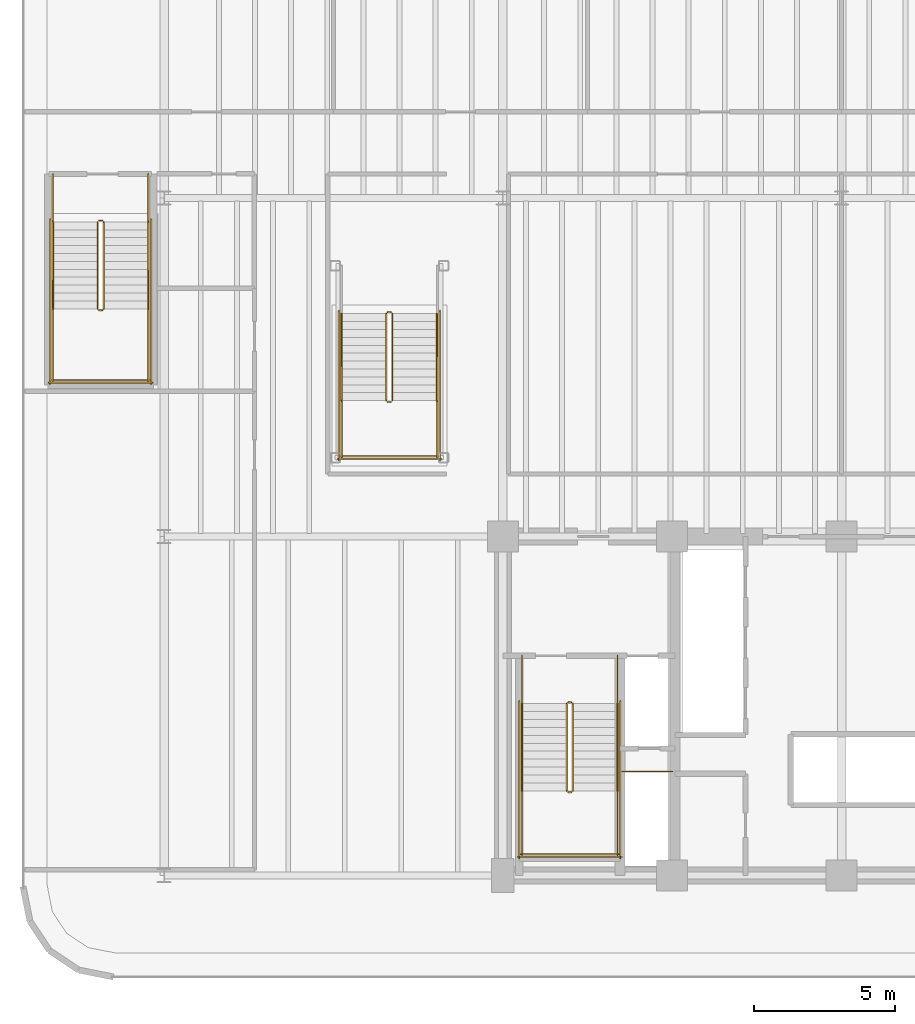
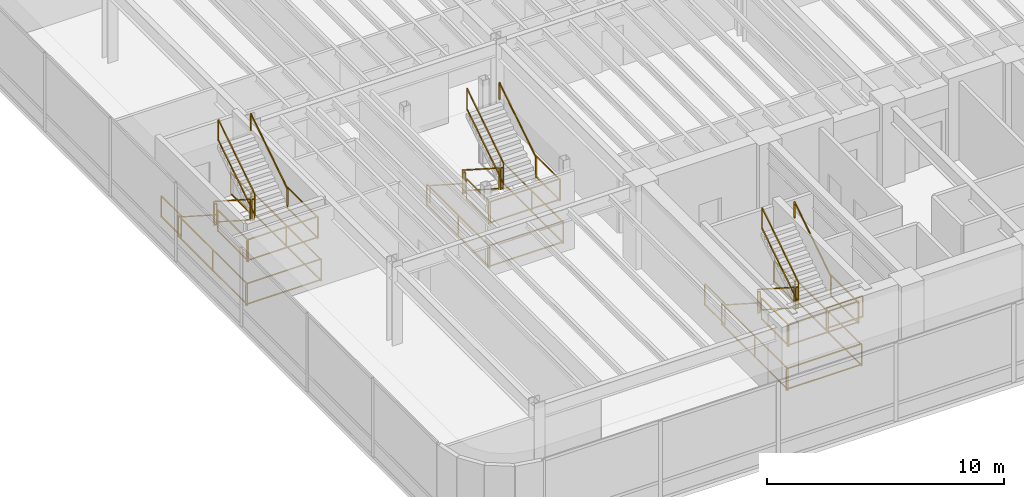
# One storey, part 16 of 18: 41 railings.
"""IFC4 building model written with IfcOpenShell, lengths in metres."""

from ifc_helpers import new_model, si_unit, direction, frame, origin, origin_2d, place, context, subcontext, project, spatial, rectangle, extrude, material, layer, layer_set, type_object, element, save


model = new_model("IFC4")

# Units and contexts
model_context = context("Model", 3, precision=1e-05, world=origin(), true_north=direction((0.0, 1.0)))
body_context = subcontext(model_context, "Body", "Model", "MODEL_VIEW")
ifc_project = project(units=[si_unit("LENGTHUNIT", "METRE"), si_unit("AREAUNIT", "SQUARE_METRE"), si_unit("VOLUMEUNIT", "CUBIC_METRE"), si_unit("PLANEANGLEUNIT", "RADIAN"), si_unit("MASSUNIT", "GRAM", prefix="KILO")], contexts=[model_context])

# Site, building, storey
site_placement = place(None, origin())
site = spatial("IfcSite", under=ifc_project, at=site_placement, CompositionType="ELEMENT")
building_placement = place(site_placement, origin())
building = spatial("IfcBuilding", under=site, at=building_placement, Name="Brelvock Crest Care Tower", CompositionType="ELEMENT")
storey_placement = place(building_placement, frame((0.0, 0.0, 9.719970703125)))
storey = spatial("IfcBuildingStorey", under=building, at=storey_placement, Name="L02", CompositionType="ELEMENT", Elevation=9.719970703125)

# Railings
ifc_material = material(Name="Steel Grade 350", Category="steel")
ifc_layer_1 = layer(ifc_material, 0.050048828125, Name="RL-STG1")
ifc_layer_set_1 = layer_set([ifc_layer_1], Name="Steel Grade 350")
railing_type_1 = type_object("IfcRailingType", Name="RL-STG1", PredefinedType="GUARDRAIL", material=ifc_layer_set_1)
railing_1_placement = place(storey_placement, frame((26.260009765625, 12.080078125, 0.179931640625)))
element("IfcRailing", 1, at=railing_1_placement, inside=storey, type_object=railing_type_1, Name="L02 ST-1 stair guard 1", PredefinedType="GUARDRAIL", context=body_context, shape_type="SweptSolid", body=[
    extrude(rectangle(XDim=0.048095703125, YDim=0.048095703125, at=origin_2d()), frame((0.0, -0.001708984375, 1.116943359375), z_axis=(0.0, -0.84118714077, 0.540744111576), x_axis=(1.0, 0.0, 0.0)), (0.0, 0.0, 1.0), 3.657470703125),
    extrude(rectangle(XDim=0.048095703125, YDim=0.048095703125, at=origin_2d()), frame((0.0, -0.001708984375, 0.05615234375), z_axis=(0.0, -0.84118714077, 0.540744111576), x_axis=(1.0, 0.0, 0.0)), (0.0, 0.0, 1.0), 3.657470703125),
    extrude(rectangle(XDim=0.0419921875, YDim=0.0419921875, at=origin_2d()), origin(), (0.0, 0.0, 1.0), 1.08984375),
    extrude(rectangle(XDim=0.0419921875, YDim=0.0419921875, at=origin_2d()), frame((0.0, -3.080078125, 1.97998046875)), (0.0, 0.0, 1.0), 1.08984375),
])
railing_2_placement = place(storey_placement, frame((26.31005859375, 8.949951171875, 2.159912109375)))
element("IfcRailing", 2, at=railing_2_placement, inside=storey, type_object=railing_type_1, Name="L02 ST-1 stair guard 2", PredefinedType="GUARDRAIL", context=body_context, shape_type="SweptSolid", body=[
    extrude(rectangle(XDim=0.048095703125, YDim=0.048095703125, at=origin_2d()), frame((0.001953125, 0.0, 1.11572265625), z_axis=(1.0, 0.0, 0.0), x_axis=(0.0, 1.0, 0.0)), (0.0, 0.0, 1.0), 0.115966796875),
    extrude(rectangle(XDim=0.048095703125, YDim=0.048095703125, at=origin_2d()), frame((0.001953125, 0.0, 0.054931640625), z_axis=(1.0, 0.0, 0.0), x_axis=(0.0, 1.0, 0.0)), (0.0, 0.0, 1.0), 0.115966796875),
    extrude(rectangle(XDim=0.0419921875, YDim=0.0419921875, at=origin_2d()), origin(), (0.0, 0.0, 1.0), 1.08984375),
    extrude(rectangle(XDim=0.0419921875, YDim=0.0419921875, at=origin_2d()), frame((0.119873046875, 0.0, 0.0)), (0.0, 0.0, 1.0), 1.08984375),
])
for number, where, name in (
    (3, (24.679931640625, 9.0, 2.159912109375), "L02 ST-1 stair guard 3"),
    (4, (28.06005859375, 9.0, 2.159912109375), "L02 ST-1 stair guard 4"),
):
    element("IfcRailing", number, at=place(storey_placement, frame(where)), inside=storey, type_object=railing_type_1, Name=name, PredefinedType="GUARDRAIL", context=body_context, shape_type="SweptSolid", body=[
        extrude(rectangle(XDim=0.048095703125, YDim=0.048095703125, at=origin_2d()), frame((0.0, -0.001953125, 1.11572265625), z_axis=(0.0, -1.0, 0.0), x_axis=(1.0, 0.0, 0.0)), (0.0, 0.0, 1.0), 2.296142578125),
        extrude(rectangle(XDim=0.048095703125, YDim=0.048095703125, at=origin_2d()), frame((0.0, -0.001953125, 0.054931640625), z_axis=(0.0, -1.0, 0.0), x_axis=(1.0, 0.0, 0.0)), (0.0, 0.0, 1.0), 2.296142578125),
        extrude(rectangle(XDim=0.0419921875, YDim=0.0419921875, at=origin_2d()), origin(), (0.0, 0.0, 1.0), 1.08984375),
        extrude(rectangle(XDim=0.0419921875, YDim=0.0419921875, at=origin_2d()), frame((0.0, -2.300048828125, 0.0)), (0.0, 0.0, 1.0), 1.08984375),
    ])
railing_3_placement = place(storey_placement, frame((24.6298828125, 6.75, 2.159912109375)))
element("IfcRailing", 5, at=railing_3_placement, inside=storey, type_object=railing_type_1, Name="L02 ST-1 stair guard 5", PredefinedType="GUARDRAIL", context=body_context, shape_type="SweptSolid", body=[
    extrude(rectangle(XDim=0.048095703125, YDim=0.048095703125, at=origin_2d()), frame((0.001953125, 0.0, 1.11572265625), z_axis=(1.0, 0.0, 0.0), x_axis=(0.0, 1.0, 0.0)), (0.0, 0.0, 1.0), 3.476318359375),
    extrude(rectangle(XDim=0.048095703125, YDim=0.048095703125, at=origin_2d()), frame((0.001953125, 0.0, 0.054931640625), z_axis=(1.0, 0.0, 0.0), x_axis=(0.0, 1.0, 0.0)), (0.0, 0.0, 1.0), 3.476318359375),
    extrude(rectangle(XDim=0.0419921875, YDim=0.0419921875, at=origin_2d()), origin(), (0.0, 0.0, 1.0), 1.08984375),
    extrude(rectangle(XDim=0.0419921875, YDim=0.0419921875, at=origin_2d()), frame((3.480224609375, 0.0, 0.0)), (0.0, 0.0, 1.0), 1.08984375),
])
railing_4_placement = place(storey_placement, frame((26.47998046875, 9.0, 2.340087890625)))
element("IfcRailing", 6, at=railing_4_placement, inside=storey, type_object=railing_type_1, Name="L02 ST-1 stair guard 6", PredefinedType="GUARDRAIL", context=body_context, shape_type="SweptSolid", body=[
    extrude(rectangle(XDim=0.048095703125, YDim=0.048095703125, at=origin_2d()), frame((0.0, 0.001708984375, 1.116943359375), z_axis=(0.0, 0.84118714077, 0.540744111576), x_axis=(-1.0, 0.0, 0.0)), (0.0, 0.0, 1.0), 3.657470703125),
    extrude(rectangle(XDim=0.048095703125, YDim=0.048095703125, at=origin_2d()), frame((0.0, 0.001708984375, 0.05615234375), z_axis=(0.0, 0.84118714077, 0.540744111576), x_axis=(-1.0, 0.0, 0.0)), (0.0, 0.0, 1.0), 3.657470703125),
    extrude(rectangle(XDim=0.0419921875, YDim=0.0419921875, at=origin_2d()), origin(), (0.0, 0.0, 1.0), 1.08984375),
    extrude(rectangle(XDim=0.0419921875, YDim=0.0419921875, at=origin_2d()), frame((0.0, 3.080078125, 1.97998046875)), (0.0, 0.0, 1.0), 1.08984375),
])
railing_5_placement = place(storey_placement, frame((26.31005859375, 12.1298828125, 0.0)))
element("IfcRailing", 7, at=railing_5_placement, inside=storey, type_object=railing_type_1, Name="L02 ST-1 stair guard 7", PredefinedType="GUARDRAIL", context=body_context, shape_type="SweptSolid", body=[
    extrude(rectangle(XDim=0.048095703125, YDim=0.048095703125, at=origin_2d()), frame((0.001953125, 0.0, 1.11572265625), z_axis=(1.0, 0.0, 0.0), x_axis=(0.0, 1.0, 0.0)), (0.0, 0.0, 1.0), 0.115966796875),
    extrude(rectangle(XDim=0.048095703125, YDim=0.048095703125, at=origin_2d()), frame((0.001953125, 0.0, 0.054931640625), z_axis=(1.0, 0.0, 0.0), x_axis=(0.0, 1.0, 0.0)), (0.0, 0.0, 1.0), 0.115966796875),
    extrude(rectangle(XDim=0.0419921875, YDim=0.0419921875, at=origin_2d()), origin(), (0.0, 0.0, 1.0), 1.08984375),
    extrude(rectangle(XDim=0.0419921875, YDim=0.0419921875, at=origin_2d()), frame((0.119873046875, 0.0, 0.0)), (0.0, 0.0, 1.0), 1.08984375),
])
for number, where, name in (
    (8, (24.679931640625, 13.780029296875, 0.0), "L02 ST-1 stair guard 8"),
    (9, (28.06005859375, 13.780029296875, 0.0), "L02 ST-1 stair guard 9"),
):
    element("IfcRailing", number, at=place(storey_placement, frame(where)), inside=storey, type_object=railing_type_1, Name=name, PredefinedType="GUARDRAIL", context=body_context, shape_type="SweptSolid", body=[
        extrude(rectangle(XDim=0.048095703125, YDim=0.048095703125, at=origin_2d()), frame((0.0, -0.001953125, 1.11572265625), z_axis=(0.0, -1.0, 0.0), x_axis=(1.0, 0.0, 0.0)), (0.0, 0.0, 1.0), 1.696044921875),
        extrude(rectangle(XDim=0.048095703125, YDim=0.048095703125, at=origin_2d()), frame((0.0, -0.001953125, 0.054931640625), z_axis=(0.0, -1.0, 0.0), x_axis=(1.0, 0.0, 0.0)), (0.0, 0.0, 1.0), 1.696044921875),
        extrude(rectangle(XDim=0.0419921875, YDim=0.0419921875, at=origin_2d()), origin(), (0.0, 0.0, 1.0), 1.08984375),
        extrude(rectangle(XDim=0.0419921875, YDim=0.0419921875, at=origin_2d()), frame((0.0, -1.699951171875, 0.0)), (0.0, 0.0, 1.0), 1.08984375),
    ])
for number, where, name in (
    (10, (24.580078125, 12.179931640625, 0.0), "L02 ST-1 stair guard 10"),
    (11, (28.159912109375, 12.179931640625, 0.0), "L02 ST-1 stair guard 11"),
):
    element("IfcRailing", number, at=place(storey_placement, frame(where)), inside=storey, type_object=railing_type_1, Name=name, PredefinedType="GUARDRAIL", context=body_context, shape_type="SweptSolid", body=[
        extrude(rectangle(XDim=0.048095703125, YDim=0.048095703125, at=origin_2d()), frame((0.0, -0.001953125, 1.11572265625), z_axis=(0.0, -1.0, 0.0), x_axis=(1.0, 0.0, 0.0)), (0.0, 0.0, 1.0), 5.575927734375),
        extrude(rectangle(XDim=0.048095703125, YDim=0.048095703125, at=origin_2d()), frame((0.0, -0.001953125, 0.054931640625), z_axis=(0.0, -1.0, 0.0), x_axis=(1.0, 0.0, 0.0)), (0.0, 0.0, 1.0), 5.575927734375),
        extrude(rectangle(XDim=0.0419921875, YDim=0.0419921875, at=origin_2d()), origin(), (0.0, 0.0, 1.0), 1.08984375),
        extrude(rectangle(XDim=0.0419921875, YDim=0.0419921875, at=origin_2d()), frame((0.0, -2.7900390625, 0.0)), (0.0, 0.0, 1.0), 1.08984375),
        extrude(rectangle(XDim=0.0419921875, YDim=0.0419921875, at=origin_2d()), frame((0.0, -5.579833984375, 0.0)), (0.0, 0.0, 1.0), 1.08984375),
    ])
railing_6_placement = place(storey_placement, frame((24.530029296875, 6.64990234375, 0.0)))
element("IfcRailing", 12, at=railing_6_placement, inside=storey, type_object=railing_type_1, Name="L02 ST-1 stair guard 12", PredefinedType="GUARDRAIL", context=body_context, shape_type="SweptSolid", body=[
    extrude(rectangle(XDim=0.048095703125, YDim=0.048095703125, at=origin_2d()), frame((0.001953125, 0.0, 1.11572265625), z_axis=(1.0, 0.0, 0.0), x_axis=(0.0, 1.0, 0.0)), (0.0, 0.0, 1.0), 3.676025390625),
    extrude(rectangle(XDim=0.048095703125, YDim=0.048095703125, at=origin_2d()), frame((0.001953125, 0.0, 0.054931640625), z_axis=(1.0, 0.0, 0.0), x_axis=(0.0, 1.0, 0.0)), (0.0, 0.0, 1.0), 3.676025390625),
    extrude(rectangle(XDim=0.0419921875, YDim=0.0419921875, at=origin_2d()), origin(), (0.0, 0.0, 1.0), 1.08984375),
    extrude(rectangle(XDim=0.0419921875, YDim=0.0419921875, at=origin_2d()), frame((3.679931640625, 0.0, 0.0)), (0.0, 0.0, 1.0), 1.08984375),
])
railing_7_placement = place(storey_placement, frame((9.639892578125, 29.14990234375, 0.179931640625)))
element("IfcRailing", 13, at=railing_7_placement, inside=storey, type_object=railing_type_1, Name="L02 ST-3 stair guard 1", PredefinedType="GUARDRAIL", context=body_context, shape_type="SweptSolid", body=[
    extrude(rectangle(XDim=0.048095703125, YDim=0.048095703125, at=origin_2d()), frame((0.0, -0.001708984375, 1.116943359375), z_axis=(0.0, -0.841167642724, 0.540774441735), x_axis=(1.0, 0.0, 0.0)), (0.0, 0.0, 1.0), 3.657470703125),
    extrude(rectangle(XDim=0.048095703125, YDim=0.048095703125, at=origin_2d()), frame((0.0, -0.001708984375, 0.05615234375), z_axis=(0.0, -0.841167642724, 0.540774441735), x_axis=(1.0, 0.0, 0.0)), (0.0, 0.0, 1.0), 3.657470703125),
    extrude(rectangle(XDim=0.0419921875, YDim=0.0419921875, at=origin_2d()), origin(), (0.0, 0.0, 1.0), 1.08984375),
    extrude(rectangle(XDim=0.0419921875, YDim=0.0419921875, at=origin_2d()), frame((0.0, -3.079833984375, 1.97998046875)), (0.0, 0.0, 1.0), 1.08984375),
])
railing_8_placement = place(storey_placement, frame((9.68994140625, 26.02001953125, 2.159912109375)))
element("IfcRailing", 14, at=railing_8_placement, inside=storey, type_object=railing_type_1, Name="L02 ST-3 stair guard 2", PredefinedType="GUARDRAIL", context=body_context, shape_type="SweptSolid", body=[
    extrude(rectangle(XDim=0.048095703125, YDim=0.048095703125, at=origin_2d()), frame((0.001953125, 0.0, 1.11572265625), z_axis=(1.0, 0.0, 0.0), x_axis=(0.0, 1.0, 0.0)), (0.0, 0.0, 1.0), 0.1162109375),
    extrude(rectangle(XDim=0.048095703125, YDim=0.048095703125, at=origin_2d()), frame((0.001953125, 0.0, 0.054931640625), z_axis=(1.0, 0.0, 0.0), x_axis=(0.0, 1.0, 0.0)), (0.0, 0.0, 1.0), 0.1162109375),
    extrude(rectangle(XDim=0.0419921875, YDim=0.0419921875, at=origin_2d()), origin(), (0.0, 0.0, 1.0), 1.08984375),
    extrude(rectangle(XDim=0.0419921875, YDim=0.0419921875, at=origin_2d()), frame((0.1201171875, 0.0, 0.0)), (0.0, 0.0, 1.0), 1.08984375),
])
for number, where, name in (
    (15, (8.06005859375, 26.070068359375, 2.159912109375), "L02 ST-3 stair guard 3"),
    (16, (11.43994140625, 26.070068359375, 2.159912109375), "L02 ST-3 stair guard 4"),
):
    element("IfcRailing", number, at=place(storey_placement, frame(where)), inside=storey, type_object=railing_type_1, Name=name, PredefinedType="GUARDRAIL", context=body_context, shape_type="SweptSolid", body=[
        extrude(rectangle(XDim=0.048095703125, YDim=0.048095703125, at=origin_2d()), frame((0.0, -0.001953125, 1.11572265625), z_axis=(0.0, -1.0, 0.0), x_axis=(1.0, 0.0, 0.0)), (0.0, 0.0, 1.0), 2.566162109375),
        extrude(rectangle(XDim=0.048095703125, YDim=0.048095703125, at=origin_2d()), frame((0.0, -0.001953125, 0.054931640625), z_axis=(0.0, -1.0, 0.0), x_axis=(1.0, 0.0, 0.0)), (0.0, 0.0, 1.0), 2.566162109375),
        extrude(rectangle(XDim=0.0419921875, YDim=0.0419921875, at=origin_2d()), origin(), (0.0, 0.0, 1.0), 1.08984375),
        extrude(rectangle(XDim=0.0419921875, YDim=0.0419921875, at=origin_2d()), frame((0.0, -2.570068359375, 0.0)), (0.0, 0.0, 1.0), 1.08984375),
    ])
railing_9_placement = place(storey_placement, frame((8.010009765625, 23.550048828125, 2.159912109375)))
element("IfcRailing", 17, at=railing_9_placement, inside=storey, type_object=railing_type_1, Name="L02 ST-3 stair guard 5", PredefinedType="GUARDRAIL", context=body_context, shape_type="SweptSolid", body=[
    extrude(rectangle(XDim=0.048095703125, YDim=0.048095703125, at=origin_2d()), frame((0.001953125, 0.0, 1.11572265625), z_axis=(1.0, 0.0, 0.0), x_axis=(0.0, 1.0, 0.0)), (0.0, 0.0, 1.0), 3.47607421875),
    extrude(rectangle(XDim=0.048095703125, YDim=0.048095703125, at=origin_2d()), frame((0.001953125, 0.0, 0.054931640625), z_axis=(1.0, 0.0, 0.0), x_axis=(0.0, 1.0, 0.0)), (0.0, 0.0, 1.0), 3.47607421875),
    extrude(rectangle(XDim=0.0419921875, YDim=0.0419921875, at=origin_2d()), origin(), (0.0, 0.0, 1.0), 1.08984375),
    extrude(rectangle(XDim=0.0419921875, YDim=0.0419921875, at=origin_2d()), frame((3.47998046875, 0.0, 0.0)), (0.0, 0.0, 1.0), 1.08984375),
])
railing_10_placement = place(storey_placement, frame((9.860107421875, 26.070068359375, 2.340087890625)))
element("IfcRailing", 18, at=railing_10_placement, inside=storey, type_object=railing_type_1, Name="L02 ST-3 stair guard 6", PredefinedType="GUARDRAIL", context=body_context, shape_type="SweptSolid", body=[
    extrude(rectangle(XDim=0.048095703125, YDim=0.048095703125, at=origin_2d()), frame((0.0, 0.001708984375, 1.116943359375), z_axis=(0.0, 0.841167642724, 0.540774441735), x_axis=(-1.0, 0.0, 0.0)), (0.0, 0.0, 1.0), 3.657470703125),
    extrude(rectangle(XDim=0.048095703125, YDim=0.048095703125, at=origin_2d()), frame((0.0, 0.001708984375, 0.05615234375), z_axis=(0.0, 0.841167642724, 0.540774441735), x_axis=(-1.0, 0.0, 0.0)), (0.0, 0.0, 1.0), 3.657470703125),
    extrude(rectangle(XDim=0.0419921875, YDim=0.0419921875, at=origin_2d()), origin(), (0.0, 0.0, 1.0), 1.08984375),
    extrude(rectangle(XDim=0.0419921875, YDim=0.0419921875, at=origin_2d()), frame((0.0, 3.079833984375, 1.97998046875)), (0.0, 0.0, 1.0), 1.08984375),
])
railing_11_placement = place(storey_placement, frame((9.68994140625, 29.199951171875, 0.0)))
element("IfcRailing", 19, at=railing_11_placement, inside=storey, type_object=railing_type_1, Name="L02 ST-3 stair guard 7", PredefinedType="GUARDRAIL", context=body_context, shape_type="SweptSolid", body=[
    extrude(rectangle(XDim=0.048095703125, YDim=0.048095703125, at=origin_2d()), frame((0.001953125, 0.0, 1.11572265625), z_axis=(1.0, 0.0, 0.0), x_axis=(0.0, 1.0, 0.0)), (0.0, 0.0, 1.0), 0.1162109375),
    extrude(rectangle(XDim=0.048095703125, YDim=0.048095703125, at=origin_2d()), frame((0.001953125, 0.0, 0.054931640625), z_axis=(1.0, 0.0, 0.0), x_axis=(0.0, 1.0, 0.0)), (0.0, 0.0, 1.0), 0.1162109375),
    extrude(rectangle(XDim=0.0419921875, YDim=0.0419921875, at=origin_2d()), origin(), (0.0, 0.0, 1.0), 1.08984375),
    extrude(rectangle(XDim=0.0419921875, YDim=0.0419921875, at=origin_2d()), frame((0.1201171875, 0.0, 0.0)), (0.0, 0.0, 1.0), 1.08984375),
])
for number, where, name in (
    (20, (8.06005859375, 30.85009765625, 0.0), "L02 ST-3 stair guard 8"),
    (21, (11.43994140625, 30.85009765625, 0.0), "L02 ST-3 stair guard 9"),
):
    element("IfcRailing", number, at=place(storey_placement, frame(where)), inside=storey, type_object=railing_type_1, Name=name, PredefinedType="GUARDRAIL", context=body_context, shape_type="SweptSolid", body=[
        extrude(rectangle(XDim=0.048095703125, YDim=0.048095703125, at=origin_2d()), frame((0.0, -0.001953125, 1.11572265625), z_axis=(0.0, -1.0, 0.0), x_axis=(1.0, 0.0, 0.0)), (0.0, 0.0, 1.0), 1.6962890625),
        extrude(rectangle(XDim=0.048095703125, YDim=0.048095703125, at=origin_2d()), frame((0.0, -0.001953125, 0.054931640625), z_axis=(0.0, -1.0, 0.0), x_axis=(1.0, 0.0, 0.0)), (0.0, 0.0, 1.0), 1.6962890625),
        extrude(rectangle(XDim=0.0419921875, YDim=0.0419921875, at=origin_2d()), origin(), (0.0, 0.0, 1.0), 1.08984375),
        extrude(rectangle(XDim=0.0419921875, YDim=0.0419921875, at=origin_2d()), frame((0.0, -1.7001953125, 0.0)), (0.0, 0.0, 1.0), 1.08984375),
    ])
for number, where, name in (
    (22, (7.9599609375, 29.25, 0.0), "L02 ST-3 stair guard 10"),
    (23, (11.5400390625, 29.25, 0.0), "L02 ST-3 stair guard 11"),
):
    element("IfcRailing", number, at=place(storey_placement, frame(where)), inside=storey, type_object=railing_type_1, Name=name, PredefinedType="GUARDRAIL", context=body_context, shape_type="SweptSolid", body=[
        extrude(rectangle(XDim=0.048095703125, YDim=0.048095703125, at=origin_2d()), frame((0.0, -0.001953125, 1.11572265625), z_axis=(0.0, -1.0, 0.0), x_axis=(1.0, 0.0, 0.0)), (0.0, 0.0, 1.0), 5.84619140625),
        extrude(rectangle(XDim=0.048095703125, YDim=0.048095703125, at=origin_2d()), frame((0.0, -0.001953125, 0.054931640625), z_axis=(0.0, -1.0, 0.0), x_axis=(1.0, 0.0, 0.0)), (0.0, 0.0, 1.0), 5.84619140625),
        extrude(rectangle(XDim=0.0419921875, YDim=0.0419921875, at=origin_2d()), origin(), (0.0, 0.0, 1.0), 1.08984375),
        extrude(rectangle(XDim=0.0419921875, YDim=0.0419921875, at=origin_2d()), frame((0.0, -2.925048828125, 0.0)), (0.0, 0.0, 1.0), 1.08984375),
        extrude(rectangle(XDim=0.0419921875, YDim=0.0419921875, at=origin_2d()), frame((0.0, -5.85009765625, 0.0)), (0.0, 0.0, 1.0), 1.08984375),
    ])
railing_12_placement = place(storey_placement, frame((7.909912109375, 23.449951171875, 0.0)))
element("IfcRailing", 24, at=railing_12_placement, inside=storey, type_object=railing_type_1, Name="L02 ST-3 stair guard 12", PredefinedType="GUARDRAIL", context=body_context, shape_type="SweptSolid", body=[
    extrude(rectangle(XDim=0.048095703125, YDim=0.048095703125, at=origin_2d()), frame((0.001953125, 0.0, 1.11572265625), z_axis=(1.0, 0.0, 0.0), x_axis=(0.0, 1.0, 0.0)), (0.0, 0.0, 1.0), 3.67626953125),
    extrude(rectangle(XDim=0.048095703125, YDim=0.048095703125, at=origin_2d()), frame((0.001953125, 0.0, 0.054931640625), z_axis=(1.0, 0.0, 0.0), x_axis=(0.0, 1.0, 0.0)), (0.0, 0.0, 1.0), 3.67626953125),
    extrude(rectangle(XDim=0.0419921875, YDim=0.0419921875, at=origin_2d()), origin(), (0.0, 0.0, 1.0), 1.08984375),
    extrude(rectangle(XDim=0.0419921875, YDim=0.0419921875, at=origin_2d()), frame((3.68017578125, 0.0, 0.0)), (0.0, 0.0, 1.0), 1.08984375),
])
railing_13_placement = place(storey_placement, frame((19.8701171875, 25.89990234375, 0.179931640625)))
element("IfcRailing", 25, at=railing_13_placement, inside=storey, type_object=railing_type_1, Name="L02 ST-5 stair guard 1", PredefinedType="GUARDRAIL", context=body_context, shape_type="SweptSolid", body=[
    extrude(rectangle(XDim=0.048095703125, YDim=0.048095703125, at=origin_2d()), frame((0.0, -0.001708984375, 1.116943359375), z_axis=(0.0, -0.841167642724, 0.540774441735), x_axis=(1.0, 0.0, 0.0)), (0.0, 0.0, 1.0), 3.657470703125),
    extrude(rectangle(XDim=0.048095703125, YDim=0.048095703125, at=origin_2d()), frame((0.0, -0.001708984375, 0.05615234375), z_axis=(0.0, -0.841167642724, 0.540774441735), x_axis=(1.0, 0.0, 0.0)), (0.0, 0.0, 1.0), 3.657470703125),
    extrude(rectangle(XDim=0.0419921875, YDim=0.0419921875, at=origin_2d()), origin(), (0.0, 0.0, 1.0), 1.08984375),
    extrude(rectangle(XDim=0.0419921875, YDim=0.0419921875, at=origin_2d()), frame((0.0, -3.079833984375, 1.97998046875)), (0.0, 0.0, 1.0), 1.08984375),
])
railing_14_placement = place(storey_placement, frame((19.919921875, 22.77001953125, 2.159912109375)))
element("IfcRailing", 26, at=railing_14_placement, inside=storey, type_object=railing_type_1, Name="L02 ST-5 stair guard 2", PredefinedType="GUARDRAIL", context=body_context, shape_type="SweptSolid", body=[
    extrude(rectangle(XDim=0.048095703125, YDim=0.048095703125, at=origin_2d()), frame((0.001953125, 0.0, 1.11572265625), z_axis=(1.0, 0.0, 0.0), x_axis=(0.0, 1.0, 0.0)), (0.0, 0.0, 1.0), 0.1162109375),
    extrude(rectangle(XDim=0.048095703125, YDim=0.048095703125, at=origin_2d()), frame((0.001953125, 0.0, 0.054931640625), z_axis=(1.0, 0.0, 0.0), x_axis=(0.0, 1.0, 0.0)), (0.0, 0.0, 1.0), 0.1162109375),
    extrude(rectangle(XDim=0.0419921875, YDim=0.0419921875, at=origin_2d()), origin(), (0.0, 0.0, 1.0), 1.08984375),
    extrude(rectangle(XDim=0.0419921875, YDim=0.0419921875, at=origin_2d()), frame((0.1201171875, 0.0, 0.0)), (0.0, 0.0, 1.0), 1.08984375),
])
for number, where, name in (
    (27, (18.2900390625, 22.820068359375, 2.159912109375), "L02 ST-5 stair guard 3"),
    (28, (21.669921875, 22.820068359375, 2.159912109375), "L02 ST-5 stair guard 4"),
):
    element("IfcRailing", number, at=place(storey_placement, frame(where)), inside=storey, type_object=railing_type_1, Name=name, PredefinedType="GUARDRAIL", context=body_context, shape_type="SweptSolid", body=[
        extrude(rectangle(XDim=0.048095703125, YDim=0.048095703125, at=origin_2d()), frame((0.0, -0.001953125, 1.11572265625), z_axis=(0.0, -1.0, 0.0), x_axis=(1.0, 0.0, 0.0)), (0.0, 0.0, 1.0), 2.01611328125),
        extrude(rectangle(XDim=0.048095703125, YDim=0.048095703125, at=origin_2d()), frame((0.0, -0.001953125, 0.054931640625), z_axis=(0.0, -1.0, 0.0), x_axis=(1.0, 0.0, 0.0)), (0.0, 0.0, 1.0), 2.01611328125),
        extrude(rectangle(XDim=0.0419921875, YDim=0.0419921875, at=origin_2d()), origin(), (0.0, 0.0, 1.0), 1.08984375),
        extrude(rectangle(XDim=0.0419921875, YDim=0.0419921875, at=origin_2d()), frame((0.0, -2.02001953125, 0.0)), (0.0, 0.0, 1.0), 1.08984375),
    ])
railing_15_placement = place(storey_placement, frame((18.239990234375, 20.85009765625, 2.159912109375)))
element("IfcRailing", 29, at=railing_15_placement, inside=storey, type_object=railing_type_1, Name="L02 ST-5 stair guard 5", PredefinedType="GUARDRAIL", context=body_context, shape_type="SweptSolid", body=[
    extrude(rectangle(XDim=0.048095703125, YDim=0.048095703125, at=origin_2d()), frame((0.001953125, 0.0, 1.11572265625), z_axis=(1.0, 0.0, 0.0), x_axis=(0.0, 1.0, 0.0)), (0.0, 0.0, 1.0), 3.47607421875),
    extrude(rectangle(XDim=0.048095703125, YDim=0.048095703125, at=origin_2d()), frame((0.001953125, 0.0, 0.054931640625), z_axis=(1.0, 0.0, 0.0), x_axis=(0.0, 1.0, 0.0)), (0.0, 0.0, 1.0), 3.47607421875),
    extrude(rectangle(XDim=0.0419921875, YDim=0.0419921875, at=origin_2d()), origin(), (0.0, 0.0, 1.0), 1.08984375),
    extrude(rectangle(XDim=0.0419921875, YDim=0.0419921875, at=origin_2d()), frame((3.47998046875, 0.0, 0.0)), (0.0, 0.0, 1.0), 1.08984375),
])
railing_16_placement = place(storey_placement, frame((20.090087890625, 22.820068359375, 2.340087890625)))
element("IfcRailing", 30, at=railing_16_placement, inside=storey, type_object=railing_type_1, Name="L02 ST-5 stair guard 6", PredefinedType="GUARDRAIL", context=body_context, shape_type="SweptSolid", body=[
    extrude(rectangle(XDim=0.048095703125, YDim=0.048095703125, at=origin_2d()), frame((0.0, 0.001708984375, 1.116943359375), z_axis=(0.0, 0.841167642724, 0.540774441735), x_axis=(-1.0, 0.0, 0.0)), (0.0, 0.0, 1.0), 3.657470703125),
    extrude(rectangle(XDim=0.048095703125, YDim=0.048095703125, at=origin_2d()), frame((0.0, 0.001708984375, 0.05615234375), z_axis=(0.0, 0.841167642724, 0.540774441735), x_axis=(-1.0, 0.0, 0.0)), (0.0, 0.0, 1.0), 3.657470703125),
    extrude(rectangle(XDim=0.0419921875, YDim=0.0419921875, at=origin_2d()), origin(), (0.0, 0.0, 1.0), 1.08984375),
    extrude(rectangle(XDim=0.0419921875, YDim=0.0419921875, at=origin_2d()), frame((0.0, 3.079833984375, 1.97998046875)), (0.0, 0.0, 1.0), 1.08984375),
])
railing_17_placement = place(storey_placement, frame((19.919921875, 25.949951171875, 0.0)))
element("IfcRailing", 31, at=railing_17_placement, inside=storey, type_object=railing_type_1, Name="L02 ST-5 stair guard 7", PredefinedType="GUARDRAIL", context=body_context, shape_type="SweptSolid", body=[
    extrude(rectangle(XDim=0.048095703125, YDim=0.048095703125, at=origin_2d()), frame((0.001953125, 0.0, 1.11572265625), z_axis=(1.0, 0.0, 0.0), x_axis=(0.0, 1.0, 0.0)), (0.0, 0.0, 1.0), 0.1162109375),
    extrude(rectangle(XDim=0.048095703125, YDim=0.048095703125, at=origin_2d()), frame((0.001953125, 0.0, 0.054931640625), z_axis=(1.0, 0.0, 0.0), x_axis=(0.0, 1.0, 0.0)), (0.0, 0.0, 1.0), 0.1162109375),
    extrude(rectangle(XDim=0.0419921875, YDim=0.0419921875, at=origin_2d()), origin(), (0.0, 0.0, 1.0), 1.08984375),
    extrude(rectangle(XDim=0.0419921875, YDim=0.0419921875, at=origin_2d()), frame((0.1201171875, 0.0, 0.0)), (0.0, 0.0, 1.0), 1.08984375),
])
for number, where, name in (
    (32, (18.18994140625, 26.0, 0.0), "L02 ST-5 stair guard 10"),
    (33, (21.77001953125, 26.0, 0.0), "L02 ST-5 stair guard 11"),
):
    element("IfcRailing", number, at=place(storey_placement, frame(where)), inside=storey, type_object=railing_type_1, Name=name, PredefinedType="GUARDRAIL", context=body_context, shape_type="SweptSolid", body=[
        extrude(rectangle(XDim=0.048095703125, YDim=0.048095703125, at=origin_2d()), frame((0.0, -0.001953125, 1.11572265625), z_axis=(0.0, -1.0, 0.0), x_axis=(1.0, 0.0, 0.0)), (0.0, 0.0, 1.0), 5.296142578125),
        extrude(rectangle(XDim=0.048095703125, YDim=0.048095703125, at=origin_2d()), frame((0.0, -0.001953125, 0.054931640625), z_axis=(0.0, -1.0, 0.0), x_axis=(1.0, 0.0, 0.0)), (0.0, 0.0, 1.0), 5.296142578125),
        extrude(rectangle(XDim=0.0419921875, YDim=0.0419921875, at=origin_2d()), origin(), (0.0, 0.0, 1.0), 1.08984375),
        extrude(rectangle(XDim=0.0419921875, YDim=0.0419921875, at=origin_2d()), frame((0.0, -2.64990234375, 0.0)), (0.0, 0.0, 1.0), 1.08984375),
        extrude(rectangle(XDim=0.0419921875, YDim=0.0419921875, at=origin_2d()), frame((0.0, -5.300048828125, 0.0)), (0.0, 0.0, 1.0), 1.08984375),
    ])
railing_18_placement = place(storey_placement, frame((18.139892578125, 20.75, 0.0)))
element("IfcRailing", 34, at=railing_18_placement, inside=storey, type_object=railing_type_1, Name="L02 ST-5 stair guard 12", PredefinedType="GUARDRAIL", context=body_context, shape_type="SweptSolid", body=[
    extrude(rectangle(XDim=0.048095703125, YDim=0.048095703125, at=origin_2d()), frame((0.001953125, 0.0, 1.11572265625), z_axis=(1.0, 0.0, 0.0), x_axis=(0.0, 1.0, 0.0)), (0.0, 0.0, 1.0), 3.67626953125),
    extrude(rectangle(XDim=0.048095703125, YDim=0.048095703125, at=origin_2d()), frame((0.001953125, 0.0, 0.054931640625), z_axis=(1.0, 0.0, 0.0), x_axis=(0.0, 1.0, 0.0)), (0.0, 0.0, 1.0), 3.67626953125),
    extrude(rectangle(XDim=0.0419921875, YDim=0.0419921875, at=origin_2d()), origin(), (0.0, 0.0, 1.0), 1.08984375),
    extrude(rectangle(XDim=0.0419921875, YDim=0.0419921875, at=origin_2d()), frame((3.68017578125, 0.0, 0.0)), (0.0, 0.0, 1.0), 1.08984375),
])
railing_19_placement = place(storey_placement, frame((28.219970703125, 9.679931640625, 0.0)))
element("IfcRailing", 35, at=railing_19_placement, inside=storey, type_object=railing_type_1, Name="L02 Fire Riser Threshold Guard", PredefinedType="GUARDRAIL", context=body_context, shape_type="SweptSolid", body=[
    extrude(rectangle(XDim=0.048095703125, YDim=0.048095703125, at=origin_2d()), frame((0.001953125, 0.0, 1.11572265625), z_axis=(1.0, 0.0, 0.0), x_axis=(0.0, 1.0, 0.0)), (0.0, 0.0, 1.0), 1.776123046875),
    extrude(rectangle(XDim=0.048095703125, YDim=0.048095703125, at=origin_2d()), frame((0.001953125, 0.0, 0.054931640625), z_axis=(1.0, 0.0, 0.0), x_axis=(0.0, 1.0, 0.0)), (0.0, 0.0, 1.0), 1.776123046875),
    extrude(rectangle(XDim=0.0419921875, YDim=0.0419921875, at=origin_2d()), origin(), (0.0, 0.0, 1.0), 1.08984375),
    extrude(rectangle(XDim=0.0419921875, YDim=0.0419921875, at=origin_2d()), frame((1.780029296875, 0.0, 0.0)), (0.0, 0.0, 1.0), 1.08984375),
])
ifc_layer_2 = layer(ifc_material, 0.048095703125, Name="RL-STH1")
ifc_layer_set_2 = layer_set([ifc_layer_2], Name="Steel Grade 350")
railing_type_2 = type_object("IfcRailingType", Name="RL-STH1", PredefinedType="HANDRAIL", material=ifc_layer_set_2)
railing_20_placement = place(storey_placement, frame((24.679931640625, 12.080078125, 0.179931640625)))
element("IfcRailing", 36, at=railing_20_placement, inside=storey, type_object=railing_type_2, Name="L02 ST-1 stair handrail 1", PredefinedType="HANDRAIL", context=body_context, shape_type="SweptSolid", body=[
    extrude(rectangle(XDim=0.048095703125, YDim=0.048095703125, at=origin_2d()), frame((0.0, -0.001708984375, 0.876953125), z_axis=(0.0, -0.84118714077, 0.540744111576), x_axis=(1.0, 0.0, 0.0)), (0.0, 0.0, 1.0), 3.657470703125),
    extrude(rectangle(XDim=0.0419921875, YDim=0.0419921875, at=origin_2d()), origin(), (0.0, 0.0, 1.0), 0.849853515625),
    extrude(rectangle(XDim=0.0419921875, YDim=0.0419921875, at=origin_2d()), frame((0.0, -3.080078125, 1.97998046875)), (0.0, 0.0, 1.0), 0.849853515625),
])
railing_21_placement = place(storey_placement, frame((28.06005859375, 9.0, 2.340087890625)))
element("IfcRailing", 37, at=railing_21_placement, inside=storey, type_object=railing_type_2, Name="L02 ST-1 stair handrail 2", PredefinedType="HANDRAIL", context=body_context, shape_type="SweptSolid", body=[
    extrude(rectangle(XDim=0.048095703125, YDim=0.048095703125, at=origin_2d()), frame((0.0, 0.001708984375, 0.876953125), z_axis=(0.0, 0.84118714077, 0.540744111576), x_axis=(-1.0, 0.0, 0.0)), (0.0, 0.0, 1.0), 3.657470703125),
    extrude(rectangle(XDim=0.0419921875, YDim=0.0419921875, at=origin_2d()), origin(), (0.0, 0.0, 1.0), 0.849853515625),
    extrude(rectangle(XDim=0.0419921875, YDim=0.0419921875, at=origin_2d()), frame((0.0, 3.080078125, 1.97998046875)), (0.0, 0.0, 1.0), 0.849853515625),
])
railing_22_placement = place(storey_placement, frame((8.06005859375, 29.14990234375, 0.179931640625)))
element("IfcRailing", 38, at=railing_22_placement, inside=storey, type_object=railing_type_2, Name="L02 ST-3 stair handrail 1", PredefinedType="HANDRAIL", context=body_context, shape_type="SweptSolid", body=[
    extrude(rectangle(XDim=0.048095703125, YDim=0.048095703125, at=origin_2d()), frame((0.0, -0.001708984375, 0.876953125), z_axis=(0.0, -0.841167642724, 0.540774441735), x_axis=(1.0, 0.0, 0.0)), (0.0, 0.0, 1.0), 3.657470703125),
    extrude(rectangle(XDim=0.0419921875, YDim=0.0419921875, at=origin_2d()), origin(), (0.0, 0.0, 1.0), 0.849853515625),
    extrude(rectangle(XDim=0.0419921875, YDim=0.0419921875, at=origin_2d()), frame((0.0, -3.079833984375, 1.97998046875)), (0.0, 0.0, 1.0), 0.849853515625),
])
railing_23_placement = place(storey_placement, frame((11.43994140625, 26.070068359375, 2.340087890625)))
element("IfcRailing", 39, at=railing_23_placement, inside=storey, type_object=railing_type_2, Name="L02 ST-3 stair handrail 2", PredefinedType="HANDRAIL", context=body_context, shape_type="SweptSolid", body=[
    extrude(rectangle(XDim=0.048095703125, YDim=0.048095703125, at=origin_2d()), frame((0.0, 0.001708984375, 0.876953125), z_axis=(0.0, 0.841167642724, 0.540774441735), x_axis=(-1.0, 0.0, 0.0)), (0.0, 0.0, 1.0), 3.657470703125),
    extrude(rectangle(XDim=0.0419921875, YDim=0.0419921875, at=origin_2d()), origin(), (0.0, 0.0, 1.0), 0.849853515625),
    extrude(rectangle(XDim=0.0419921875, YDim=0.0419921875, at=origin_2d()), frame((0.0, 3.079833984375, 1.97998046875)), (0.0, 0.0, 1.0), 0.849853515625),
])
railing_24_placement = place(storey_placement, frame((18.2900390625, 25.89990234375, 0.179931640625)))
element("IfcRailing", 40, at=railing_24_placement, inside=storey, type_object=railing_type_2, Name="L02 ST-5 stair handrail 1", PredefinedType="HANDRAIL", context=body_context, shape_type="SweptSolid", body=[
    extrude(rectangle(XDim=0.048095703125, YDim=0.048095703125, at=origin_2d()), frame((0.0, -0.001708984375, 0.876953125), z_axis=(0.0, -0.841167642724, 0.540774441735), x_axis=(1.0, 0.0, 0.0)), (0.0, 0.0, 1.0), 3.657470703125),
    extrude(rectangle(XDim=0.0419921875, YDim=0.0419921875, at=origin_2d()), origin(), (0.0, 0.0, 1.0), 0.849853515625),
    extrude(rectangle(XDim=0.0419921875, YDim=0.0419921875, at=origin_2d()), frame((0.0, -3.079833984375, 1.97998046875)), (0.0, 0.0, 1.0), 0.849853515625),
])
railing_25_placement = place(storey_placement, frame((21.669921875, 22.820068359375, 2.340087890625)))
element("IfcRailing", 41, at=railing_25_placement, inside=storey, type_object=railing_type_2, Name="L02 ST-5 stair handrail 2", PredefinedType="HANDRAIL", context=body_context, shape_type="SweptSolid", body=[
    extrude(rectangle(XDim=0.048095703125, YDim=0.048095703125, at=origin_2d()), frame((0.0, 0.001708984375, 0.876953125), z_axis=(0.0, 0.841167642724, 0.540774441735), x_axis=(-1.0, 0.0, 0.0)), (0.0, 0.0, 1.0), 3.657470703125),
    extrude(rectangle(XDim=0.0419921875, YDim=0.0419921875, at=origin_2d()), origin(), (0.0, 0.0, 1.0), 0.849853515625),
    extrude(rectangle(XDim=0.0419921875, YDim=0.0419921875, at=origin_2d()), frame((0.0, 3.079833984375, 1.97998046875)), (0.0, 0.0, 1.0), 0.849853515625),
])

save(model, "model.ifc")
